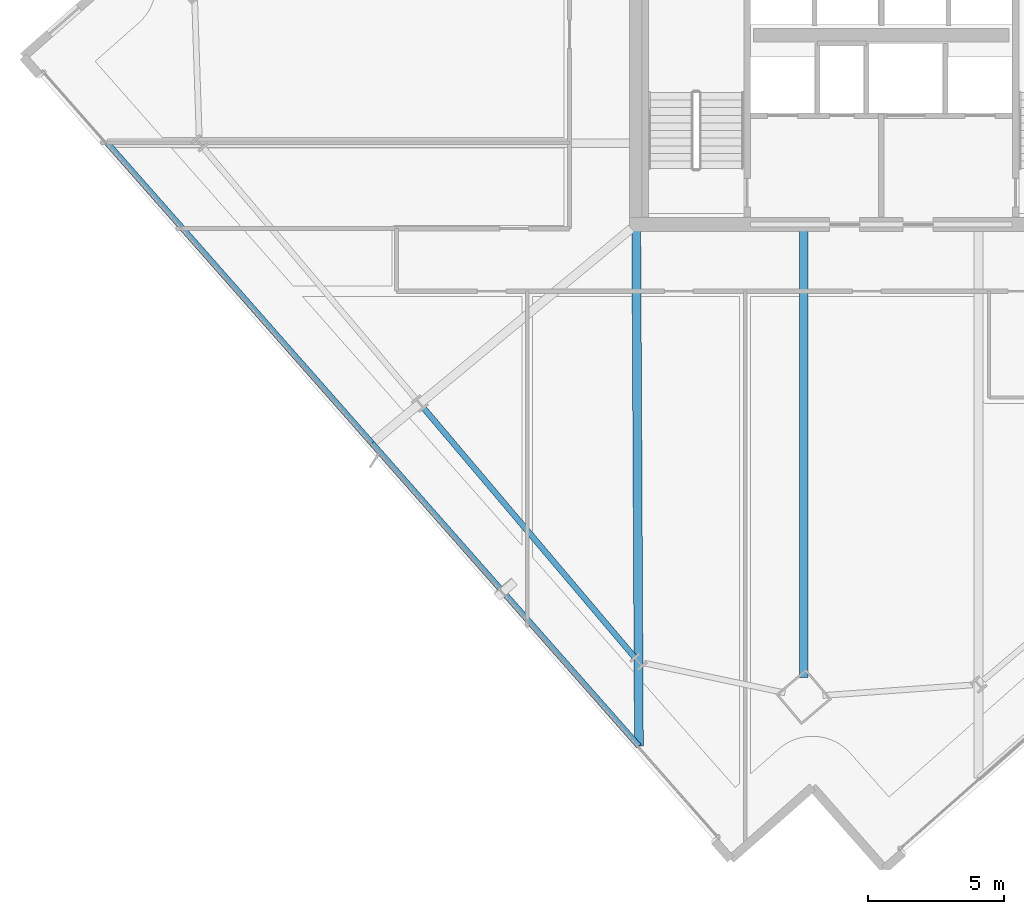
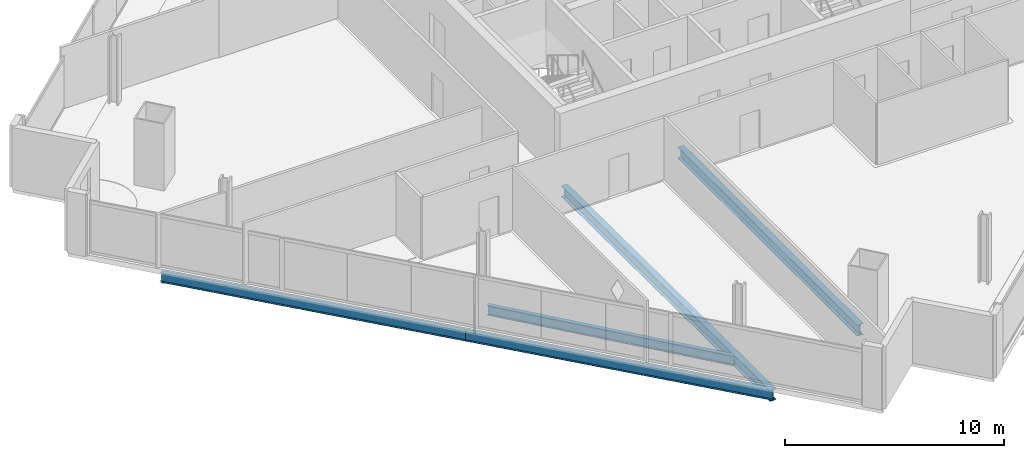
# One storey, part 4 of 34: 5 beams.
"""IFC4 building model written with IfcOpenShell, lengths in metres."""

from ifc_helpers import new_model, si_unit, direction, frame, origin, origin_2d, place, context, subcontext, project, spatial, i_section, extrude, material, material_profile, profile_set, type_object, element, save


model = new_model("IFC4")

# Units and contexts
model_context = context("Model", 3, precision=1e-05, world=origin(), true_north=direction((0.0, 1.0)))
body_context = subcontext(model_context, "Body", "Model", "MODEL_VIEW")
ifc_project = project(units=[si_unit("LENGTHUNIT", "METRE"), si_unit("AREAUNIT", "SQUARE_METRE"), si_unit("VOLUMEUNIT", "CUBIC_METRE"), si_unit("PLANEANGLEUNIT", "RADIAN"), si_unit("MASSUNIT", "GRAM", prefix="KILO")], contexts=[model_context])

# Site, building, storey
site_placement = place(None, origin())
site = spatial("IfcSite", under=ifc_project, at=site_placement, CompositionType="ELEMENT")
building_placement = place(site_placement, origin())
building = spatial("IfcBuilding", under=site, at=building_placement, Name="Haldenkirk Collegiate Tower", CompositionType="ELEMENT")
storey_placement = place(building_placement, frame((0.0, 0.0, 166.949951171875)))
storey = spatial("IfcBuildingStorey", under=building, at=storey_placement, Name="L41", CompositionType="ELEMENT", Elevation=166.949951171875)

# Beams
ifc_material = material(Name="Steel ASTM A992 Grade 50", Category="steel")
ifc_material_profile_1 = material_profile(ifc_material, i_section(OverallWidth=0.324951171875, OverallDepth=0.615966796875, WebThickness=0.013916015625, FlangeThickness=0.021484375, at=origin_2d()), Name="W24X117")
ifc_profile_set_1 = profile_set([ifc_material_profile_1], Name="Steel ASTM A992 Grade 50")
beam_type_1 = type_object("IfcBeamType", Name="BM-GIRDER-W24X117", PredefinedType="BEAM", material=ifc_profile_set_1)
beam_1_placement = place(storey_placement, frame((33.149169921875, 1.36279296875, -0.597900390625), z_axis=(0.0, 1.0, 0.0), x_axis=(-1.0, 0.0, 0.0)))
element("IfcBeam", 1, at=beam_1_placement, inside=storey, type_object=beam_type_1, Name="L41 primary floor girder 01", PredefinedType="BEAM", context=body_context, shape_type="SweptSolid", body=[
    extrude(i_section(OverallWidth=0.324951171875, OverallDepth=0.615966796875, WebThickness=0.013916015625, FlangeThickness=0.021484375, at=origin_2d()), origin(), (0.0, 0.0, 1.0), 16.4072265625),
])
beam_2_placement = place(storey_placement, frame((27.098876953125, -1.14794921875, -0.597900390625), z_axis=(-0.005162020838, 0.999986676682, 0.0), x_axis=(-0.999986676682, -0.005162020838, 0.0)))
element("IfcBeam", 2, at=beam_2_placement, inside=storey, type_object=beam_type_1, Name="L41 primary floor girder 16", PredefinedType="BEAM", context=body_context, shape_type="SweptSolid", body=[
    extrude(i_section(OverallWidth=0.324951171875, OverallDepth=0.615966796875, WebThickness=0.013916015625, FlangeThickness=0.021484375, at=origin_2d()), origin(), (0.0, 0.0, 1.0), 18.918212890625),
])
ifc_material_profile_2 = material_profile(ifc_material, i_section(OverallWidth=0.2119140625, OverallDepth=0.5439453125, WebThickness=0.01318359375, FlangeThickness=0.021240234375, at=origin_2d()), Name="W21X83")
ifc_profile_set_2 = profile_set([ifc_material_profile_2], Name="Steel ASTM A992 Grade 50")
beam_type_2 = type_object("IfcBeamType", Name="BM-SPANDREL-W21X83", PredefinedType="SPANDREL", material=ifc_profile_set_2)
beam_3_placement = place(storey_placement, frame((19.202880859375, 11.250732421875, -0.56201171875), z_axis=(0.646115074743, -0.763240008248, 0.0), x_axis=(0.763240008248, 0.646115074743, 0.0)))
element("IfcBeam", 3, at=beam_3_placement, inside=storey, type_object=beam_type_2, Name="L41 perimeter spandrel beam 15", PredefinedType="SPANDREL", context=body_context, shape_type="SweptSolid", body=[
    extrude(i_section(OverallWidth=0.2119140625, OverallDepth=0.5439453125, WebThickness=0.01318359375, FlangeThickness=0.021240234375, at=origin_2d()), origin(), (0.0, 0.0, 1.0), 11.966796875),
])
beam_4_placement = place(storey_placement, frame((7.58740234375, 20.9833984375, -0.56201171875), z_axis=(0.661311383787, -0.750111494162, 0.0), x_axis=(0.750111494162, 0.661311383787, 0.0)))
element("IfcBeam", 4, at=beam_4_placement, inside=storey, type_object=beam_type_2, Name="L41 outer facade edge beam 4A", PredefinedType="SPANDREL", context=body_context, shape_type="SweptSolid", body=[
    extrude(i_section(OverallWidth=0.2119140625, OverallDepth=0.5439453125, WebThickness=0.01318359375, FlangeThickness=0.021240234375, at=origin_2d()), origin(), (0.0, 0.0, 1.0), 14.681396484375),
])
beam_5_placement = place(storey_placement, frame((17.29638671875, 9.970703125, -0.56201171875), z_axis=(0.661314887144, -0.750108405527, 0.0), x_axis=(0.750108405527, 0.661314887144, 0.0)))
element("IfcBeam", 5, at=beam_5_placement, inside=storey, type_object=beam_type_2, Name="L41 outer facade edge beam 4B", PredefinedType="SPANDREL", context=body_context, shape_type="SweptSolid", body=[
    extrude(i_section(OverallWidth=0.2119140625, OverallDepth=0.5439453125, WebThickness=0.01318359375, FlangeThickness=0.021240234375, at=origin_2d()), origin(), (0.0, 0.0, 1.0), 14.82275390625),
])

save(model, "model.ifc")
